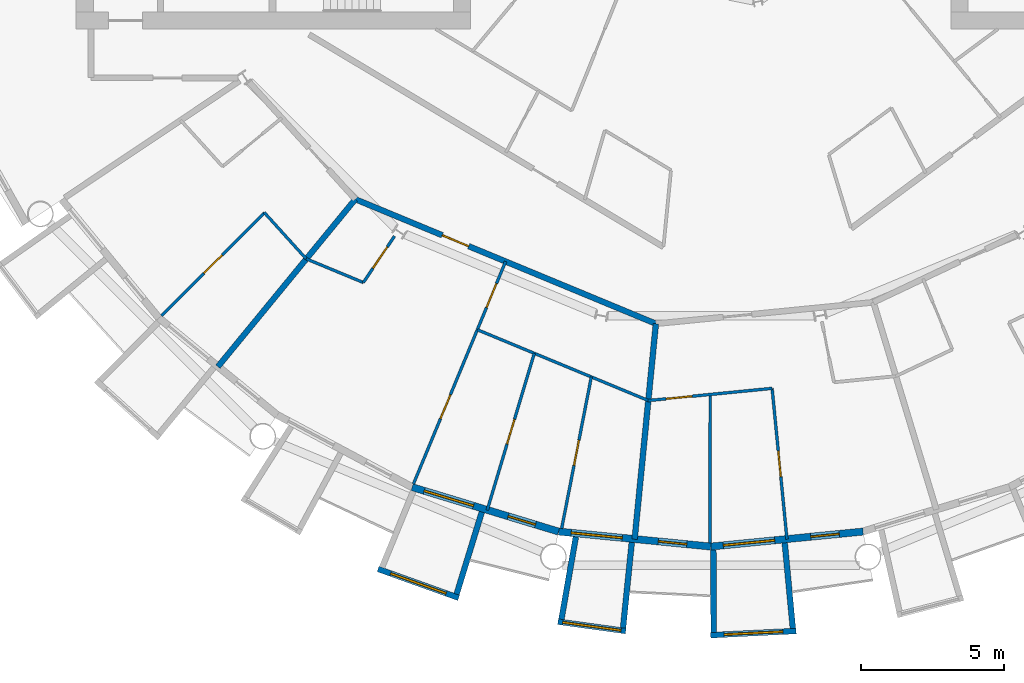
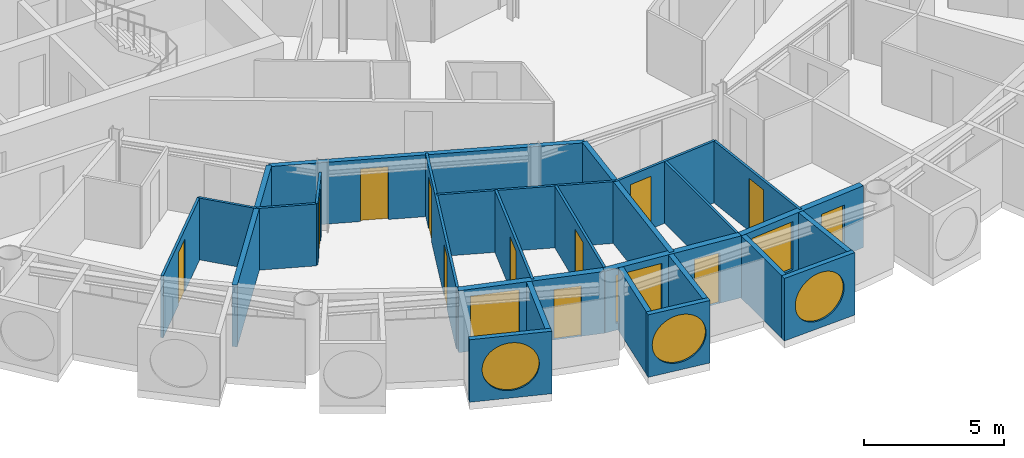
# One storey, part 14 of 27: 25 walls, 12 doors, 6 windows, 18 openings.
"""IFC4 building model written with IfcOpenShell, lengths in metres."""

from ifc_helpers import new_model, si_unit, direction, frame, frame_2d, origin, place, context, subcontext, project, spatial, rectangle, circle, extrude, material, layer, layer_set, type_object, element, fill, save


model = new_model("IFC4")

# Units and contexts
model_context = context("Model", 3, precision=1e-05, world=origin(), true_north=direction((0.0, 1.0)))
body_context = subcontext(model_context, "Body", "Model", "MODEL_VIEW")
ifc_project = project(units=[si_unit("LENGTHUNIT", "METRE"), si_unit("AREAUNIT", "SQUARE_METRE"), si_unit("VOLUMEUNIT", "CUBIC_METRE"), si_unit("PLANEANGLEUNIT", "RADIAN"), si_unit("MASSUNIT", "GRAM", prefix="KILO")], contexts=[model_context])

# Site, building, storey
site_placement = place(None, origin())
site = spatial("IfcSite", under=ifc_project, at=site_placement, CompositionType="ELEMENT")
building_placement = place(site_placement, origin())
building = spatial("IfcBuilding", under=site, at=building_placement, Name="Maasbend Ring Residences", CompositionType="ELEMENT")
storey_placement = place(building_placement, frame((0.0, 0.0, 117.75)))
storey = spatial("IfcBuildingStorey", under=building, at=storey_placement, Name="L33", CompositionType="ELEMENT", Elevation=117.75)

# Wall, opening, door
ifc_material_1 = material(Name="Concrete C30/37", Category="concrete")
ifc_layer_1 = layer(ifc_material_1, 0.199951171875)
ifc_layer_set_1 = layer_set([ifc_layer_1], Name="Concrete C30/37")
wall_type_1 = type_object("IfcWallType", Name="CORRIDOR WALL 200 CONCRETE", PredefinedType="PARTITIONING", material=ifc_layer_set_1)
wall_1_placement = place(storey_placement, frame((-12.43408203125, -15.15087890625, 0.0), z_axis=(0.0, 0.0, 1.0), x_axis=(0.923888467236, -0.382661861319, 0.0)))
wall_1 = element("IfcWall", 1, at=wall_1_placement, inside=storey, type_object=wall_type_1, Name="U-L33-w017", PredefinedType="PARTITIONING", context=body_context, shape_type="SweptSolid", body=[
    extrude(rectangle(XDim=11.38134765625, YDim=0.199951171875, at=frame_2d((5.690673828125, 0.0))), origin(), (0.0, 0.0, 1.0), 2.699951171875),
])
opening_1_placement = place(wall_1_placement, frame((3.2919921875, 0.0, 0.0)))
opening_1 = element("IfcOpeningElement", 2, at=opening_1_placement, cuts=wall_1, Name="Opening D-3336", PredefinedType="OPENING", context=body_context, shape_type="SweptSolid", body=[
    extrude(rectangle(XDim=1.0, YDim=2.300048828125, at=frame_2d((0.5, 1.14990234375))), frame((0.0, 0.10986328125, 0.0), z_axis=(0.0, -1.0, 0.0), x_axis=(1.0, 0.0, 0.0)), (0.0, 0.0, 1.0), 0.219970703125),
])
ifc_material_2 = material(Name="Timber, fire-rated, painted", Category="wood")
door_type_1 = type_object("IfcDoorType", Name="FLAT ENTRANCE DOOR 1000 X 2300 FIRE-RATED", OperationType="NOTDEFINED", PredefinedType="DOOR", material=ifc_material_2)
door_1_placement = place(opening_1_placement, origin())
door_1 = element("IfcDoor", 3, at=door_1_placement, inside=storey, type_object=door_type_1, Name="D-3336", OperationType="SINGLE_SWING_LEFT", OverallHeight=2.300048828125, OverallWidth=1.0, PredefinedType="DOOR", context=body_context, shape_type="SweptSolid", body=[
    extrude(rectangle(XDim=1.0, YDim=2.300048828125, at=frame_2d((0.5, 1.14990234375))), frame((0.0, 0.02490234375, 0.0), z_axis=(0.0, -1.0, 0.0), x_axis=(1.0, 0.0, 0.0)), (0.0, 0.0, 1.0), 0.050048828125),
])
fill(opening_1, door_1)

# Wall, opening, window
ifc_material_3 = material(Name="Pale anodised aluminium panel", Category="aluminium")
ifc_layer_2 = layer(ifc_material_3, 0.199951171875)
ifc_layer_set_2 = layer_set([ifc_layer_2], Name="EW-BOX")
wall_type_2 = type_object("IfcWallType", Name="EW-BOX", PredefinedType="SOLIDWALL", material=ifc_layer_set_2)
wall_2_placement = place(storey_placement, frame((-11.637939453125, -28.083984375, -0.030029296875), z_axis=(0.0, 0.0, 1.0), x_axis=(0.941461077774, -0.337121697664, 0.0)))
wall_2 = element("IfcWall", 4, at=wall_2_placement, inside=storey, type_object=wall_type_2, Name="Box front S07", PredefinedType="SOLIDWALL", context=body_context, shape_type="SweptSolid", body=[
    extrude(rectangle(XDim=2.9931640625, YDim=0.199951171875, at=frame_2d((1.49658203125, 0.0))), origin(), (0.0, 0.0, 1.0), 2.72998046875),
])
opening_2_placement = place(wall_2_placement, frame((0.45654296875, 0.0, 0.330078125)))
opening_2 = element("IfcOpeningElement", 5, at=opening_2_placement, cuts=wall_2, Name="Opening W-RD", PredefinedType="OPENING", context=body_context, shape_type="SweptSolid", body=[
    extrude(circle(Radius=1.0400390625, at=frame_2d((1.0400390625, 1.0400390625))), frame((0.0, 0.10986328125, 0.0), z_axis=(0.0, -1.0, 0.0), x_axis=(1.0, 0.0, 0.0)), (0.0, 0.0, 1.0), 0.219970703125),
])
ifc_material_4 = material(Name="Aluminium and clear glass", Category="aluminium")
window_type_1 = type_object("IfcWindowType", Name="W-RD", PartitioningType="SINGLE_PANEL", PredefinedType="WINDOW", material=ifc_material_4)
window_1_placement = place(opening_2_placement, origin())
window_1 = element("IfcWindow", 6, at=window_1_placement, inside=storey, type_object=window_type_1, Name="Round window S07", OverallHeight=2.080078125, OverallWidth=2.080078125, PartitioningType="SINGLE_PANEL", PredefinedType="WINDOW", context=body_context, shape_type="SweptSolid", body=[
    extrude(circle(Radius=1.0400390625, at=frame_2d((1.0400390625, 1.0400390625))), frame((0.0, 0.030029296875, 0.0), z_axis=(0.0, -1.0, 0.0), x_axis=(1.0, 0.0, 0.0)), (0.0, 0.0, 1.0), 0.06005859375),
])
fill(opening_2, window_1)

# Wall
wall_3_placement = place(storey_placement, frame((-8.009033203125, -26.092041015625, -0.030029296875), z_axis=(0.0, 0.0, 1.0), x_axis=(-0.293406695073, -0.955987715029, 0.0)))
element("IfcWall", 7, at=wall_3_placement, inside=storey, type_object=wall_type_2, Name="Box side wall S07 right", PredefinedType="SOLIDWALL", context=body_context, shape_type="SweptSolid", body=[
    extrude(rectangle(XDim=3.00634765625, YDim=0.199951171875, at=frame_2d((1.503173828125, 0.0))), origin(), (0.0, 0.0, 1.0), 2.72998046875),
])

# Wall, opening, window
wall_4_placement = place(storey_placement, frame((-5.344970703125, -29.927001953125, -0.030029296875), z_axis=(0.0, 0.0, 1.0), x_axis=(0.99061207328, -0.136703036805, 0.0)))
wall_4 = element("IfcWall", 8, at=wall_4_placement, inside=storey, type_object=wall_type_2, Name="Box front S09", PredefinedType="SOLIDWALL", context=body_context, shape_type="SweptSolid", body=[
    extrude(rectangle(XDim=2.391357421875, YDim=0.199951171875, at=frame_2d((1.19580078125, 0.0))), origin(), (0.0, 0.0, 1.0), 2.72998046875),
])
opening_3_placement = place(wall_4_placement, frame((0.15576171875, 0.0, 0.330078125)))
opening_3 = element("IfcOpeningElement", 9, at=opening_3_placement, cuts=wall_4, Name="Opening W-RD", PredefinedType="OPENING", context=body_context, shape_type="SweptSolid", body=[
    extrude(circle(Radius=1.0400390625, at=frame_2d((1.0400390625, 1.0400390625))), frame((0.0, 0.10986328125, 0.0), z_axis=(0.0, -1.0, 0.0), x_axis=(1.0, 0.0, 0.0)), (0.0, 0.0, 1.0), 0.219970703125),
])
window_2_placement = place(opening_3_placement, origin())
window_2 = element("IfcWindow", 10, at=window_2_placement, inside=storey, type_object=window_type_1, Name="Round window S09", OverallHeight=2.080078125, OverallWidth=2.080078125, PartitioningType="SINGLE_PANEL", PredefinedType="WINDOW", context=body_context, shape_type="SweptSolid", body=[
    extrude(circle(Radius=1.0400390625, at=frame_2d((1.0400390625, 1.0400390625))), frame((0.0, 0.030029296875, 0.0), z_axis=(0.0, -1.0, 0.0), x_axis=(1.0, 0.0, 0.0)), (0.0, 0.0, 1.0), 0.06005859375),
])
fill(opening_3, window_2)

# Walls
wall_5_placement = place(storey_placement, frame((-4.719970703125, -26.9609375, -0.030029296875), z_axis=(0.0, 0.0, 1.0), x_axis=(-0.172463232037, -0.98501595601, 0.0)))
element("IfcWall", 11, at=wall_5_placement, inside=storey, type_object=wall_type_2, Name="Box side wall S09 left", PredefinedType="SOLIDWALL", context=body_context, shape_type="SweptSolid", body=[
    extrude(rectangle(XDim=2.928955078125, YDim=0.199951171875, at=frame_2d((1.46435546875, 0.0))), origin(), (0.0, 0.0, 1.0), 2.72998046875),
])
wall_6_placement = place(storey_placement, frame((-2.763916015625, -27.153076171875, -0.030029296875), z_axis=(0.0, 0.0, 1.0), x_axis=(-0.101505487237, -0.994834979311, 0.0)))
element("IfcWall", 12, at=wall_6_placement, inside=storey, type_object=wall_type_2, Name="Box side wall S09 right", PredefinedType="SOLIDWALL", context=body_context, shape_type="SweptSolid", body=[
    extrude(rectangle(XDim=3.006591796875, YDim=0.199951171875, at=frame_2d((1.50341796875, 0.0))), origin(), (0.0, 0.0, 1.0), 2.72998046875),
])

# Wall, opening, window
wall_7_placement = place(storey_placement, frame((-0.0048828125, -30.39990234375, -0.030029296875), z_axis=(0.0, 0.0, 1.0), x_axis=(0.998794083011, 0.049095618353, 0.0)))
wall_7 = element("IfcWall", 13, at=wall_7_placement, inside=storey, type_object=wall_type_2, Name="Box front S11", PredefinedType="SOLIDWALL", context=body_context, shape_type="SweptSolid", body=[
    extrude(rectangle(XDim=2.99365234375, YDim=0.199951171875, at=frame_2d((1.496826171875, 0.0))), origin(), (0.0, 0.0, 1.0), 2.72998046875),
])
opening_4_placement = place(wall_7_placement, frame((0.45654296875, 0.0, 0.330078125)))
opening_4 = element("IfcOpeningElement", 14, at=opening_4_placement, cuts=wall_7, Name="Opening W-RD", PredefinedType="OPENING", context=body_context, shape_type="SweptSolid", body=[
    extrude(circle(Radius=1.0400390625, at=frame_2d((1.0400390625, 1.0400390625))), frame((0.0, 0.10986328125, 0.0), z_axis=(0.0, -1.0, 0.0), x_axis=(1.0, 0.0, 0.0)), (0.0, 0.0, 1.0), 0.219970703125),
])
window_3_placement = place(opening_4_placement, origin())
window_3 = element("IfcWindow", 15, at=window_3_placement, inside=storey, type_object=window_type_1, Name="Round window S11", OverallHeight=2.080078125, OverallWidth=2.080078125, PartitioningType="SINGLE_PANEL", PredefinedType="WINDOW", context=body_context, shape_type="SweptSolid", body=[
    extrude(circle(Radius=1.0400390625, at=frame_2d((1.0400390625, 1.0400390625))), frame((0.0, 0.030029296875, 0.0), z_axis=(0.0, -1.0, 0.0), x_axis=(1.0, 0.0, 0.0)), (0.0, 0.0, 1.0), 0.06005859375),
])
fill(opening_4, window_3)

# Walls
wall_8_placement = place(storey_placement, frame((0.090087890625, -27.4169921875, -0.030029296875), z_axis=(0.0, 0.0, 1.0), x_axis=(0.00347308367, -0.999993968827, 0.0)))
element("IfcWall", 16, at=wall_8_placement, inside=storey, type_object=wall_type_2, Name="Box side wall S11 left", PredefinedType="SOLIDWALL", context=body_context, shape_type="SweptSolid", body=[
    extrude(rectangle(XDim=2.882080078125, YDim=0.199951171875, at=frame_2d((1.44091796875, 0.0))), origin(), (0.0, 0.0, 1.0), 2.72998046875),
])
wall_9_placement = place(storey_placement, frame((2.5859375, -27.1708984375, -0.030029296875), z_axis=(0.0, 0.0, 1.0), x_axis=(0.094548432284, -0.995520262954, 0.0)))
element("IfcWall", 17, at=wall_9_placement, inside=storey, type_object=wall_type_2, Name="Box side wall S11 right", PredefinedType="SOLIDWALL", context=body_context, shape_type="SweptSolid", body=[
    extrude(rectangle(XDim=3.005615234375, YDim=0.199951171875, at=frame_2d((1.5029296875, 0.0))), origin(), (0.0, 0.0, 1.0), 2.72998046875),
])

# Wall, openings, door, window
ifc_material_5 = material(Name="Aluminium clad insulated panel", Category="aluminium")
ifc_layer_3 = layer(ifc_material_5, 0.25)
ifc_layer_set_3 = layer_set([ifc_layer_3], Name="EW-GL")
wall_type_3 = type_object("IfcWallType", Name="EW-GL", PredefinedType="SOLIDWALL", material=ifc_layer_set_3)
wall_10_placement = place(storey_placement, frame((-10.447021484375, -25.221923828125, 0.0), z_axis=(0.0, 0.0, 1.0), x_axis=(0.956965678721, -0.290201119486, 0.0)))
wall_10 = element("IfcWall", 18, at=wall_10_placement, inside=storey, type_object=wall_type_3, Name="External wall S04", PredefinedType="SOLIDWALL", context=body_context, shape_type="SweptSolid", body=[
    extrude(rectangle(XDim=5.351318359375, YDim=0.25, at=frame_2d((2.67578125, 0.0))), origin(), (0.0, 0.0, 1.0), 2.699951171875),
])
opening_5_placement = place(wall_10_placement, frame((0.441162109375, 0.0, 0.300048828125)))
opening_5 = element("IfcOpeningElement", 19, at=opening_5_placement, cuts=wall_10, Name="Opening W-BX", PredefinedType="OPENING", context=body_context, shape_type="SweptSolid", body=[
    extrude(rectangle(XDim=1.800048828125, YDim=2.10009765625, at=frame_2d((0.89990234375, 1.050048828125))), frame((0.0, 0.135009765625, 0.0), z_axis=(0.0, -1.0, 0.0), x_axis=(1.0, 0.0, 0.0)), (0.0, 0.0, 1.0), 0.27001953125),
])
opening_6_placement = place(wall_10_placement, frame((3.510498046875, 0.0, 0.0)))
opening_6 = element("IfcOpeningElement", 20, at=opening_6_placement, cuts=wall_10, Name="Opening D-LG", PredefinedType="OPENING", context=body_context, shape_type="SweptSolid", body=[
    extrude(rectangle(XDim=1.0, YDim=2.199951171875, at=frame_2d((0.5, 1.10009765625))), frame((0.0, 0.135009765625, 0.0), z_axis=(0.0, -1.0, 0.0), x_axis=(1.0, 0.0, 0.0)), (0.0, 0.0, 1.0), 0.27001953125),
])
ifc_material_6 = material(Name="Aluminium and clear glass", Category="aluminium")
door_type_2 = type_object("IfcDoorType", Name="D-LG", OperationType="SINGLE_SWING_LEFT", PredefinedType="DOOR", material=ifc_material_6)
door_2_placement = place(opening_6_placement, origin())
door_2 = element("IfcDoor", 21, at=door_2_placement, inside=storey, type_object=door_type_2, Name="Loggia door S08", OperationType="SINGLE_SWING_LEFT", OverallHeight=2.199951171875, OverallWidth=1.0, PredefinedType="DOOR", context=body_context, shape_type="SweptSolid", body=[
    extrude(rectangle(XDim=1.0, YDim=2.199951171875, at=frame_2d((0.5, 1.10009765625))), frame((0.0, 0.02490234375, 0.0), z_axis=(0.0, -1.0, 0.0), x_axis=(1.0, 0.0, 0.0)), (0.0, 0.0, 1.0), 0.050048828125),
])
fill(opening_6, door_2)
ifc_material_7 = material(Name="Aluminium and clear glass", Category="aluminium")
window_type_2 = type_object("IfcWindowType", Name="W-BX", PartitioningType="DOUBLE_PANEL_VERTICAL", PredefinedType="WINDOW", material=ifc_material_7)
window_4_placement = place(opening_5_placement, origin())
window_4 = element("IfcWindow", 22, at=window_4_placement, inside=storey, type_object=window_type_2, Name="Window S07 room to box", OverallHeight=2.10009765625, OverallWidth=1.800048828125, PartitioningType="SINGLE_PANEL", PredefinedType="WINDOW", context=body_context, shape_type="SweptSolid", body=[
    extrude(rectangle(XDim=1.800048828125, YDim=2.10009765625, at=frame_2d((0.89990234375, 1.050048828125))), frame((0.0, 0.030029296875, 0.0), z_axis=(0.0, -1.0, 0.0), x_axis=(1.0, 0.0, 0.0)), (0.0, 0.0, 1.0), 0.06005859375),
])
fill(opening_5, window_4)

wall_11_placement = place(storey_placement, frame((-5.325927734375, -26.77490234375, 0.0), z_axis=(0.0, 0.0, 1.0), x_axis=(0.995173996315, -0.098126026407, 0.0)))
wall_11 = element("IfcWall", 23, at=wall_11_placement, inside=storey, type_object=wall_type_3, Name="External wall S05", PredefinedType="SOLIDWALL", context=body_context, shape_type="SweptSolid", body=[
    extrude(rectangle(XDim=5.351806640625, YDim=0.25, at=frame_2d((2.67578125, 0.0))), origin(), (0.0, 0.0, 1.0), 2.699951171875),
])
opening_7_placement = place(wall_11_placement, frame((0.441162109375, 0.0, 0.300048828125)))
opening_7 = element("IfcOpeningElement", 24, at=opening_7_placement, cuts=wall_11, Name="Opening W-BX", PredefinedType="OPENING", context=body_context, shape_type="SweptSolid", body=[
    extrude(rectangle(XDim=1.800048828125, YDim=2.10009765625, at=frame_2d((0.89990234375, 1.050048828125))), frame((0.0, 0.135009765625, 0.0), z_axis=(0.0, -1.0, 0.0), x_axis=(1.0, 0.0, 0.0)), (0.0, 0.0, 1.0), 0.27001953125),
])
opening_8_placement = place(wall_11_placement, frame((3.510498046875, 0.0, 0.0)))
opening_8 = element("IfcOpeningElement", 25, at=opening_8_placement, cuts=wall_11, Name="Opening D-LG", PredefinedType="OPENING", context=body_context, shape_type="SweptSolid", body=[
    extrude(rectangle(XDim=1.0, YDim=2.199951171875, at=frame_2d((0.5, 1.10009765625))), frame((0.0, 0.135009765625, 0.0), z_axis=(0.0, -1.0, 0.0), x_axis=(1.0, 0.0, 0.0)), (0.0, 0.0, 1.0), 0.27001953125),
])
door_3_placement = place(opening_8_placement, origin())
door_3 = element("IfcDoor", 26, at=door_3_placement, inside=storey, type_object=door_type_2, Name="Loggia door S10", OperationType="SINGLE_SWING_LEFT", OverallHeight=2.199951171875, OverallWidth=1.0, PredefinedType="DOOR", context=body_context, shape_type="SweptSolid", body=[
    extrude(rectangle(XDim=1.0, YDim=2.199951171875, at=frame_2d((0.5, 1.10009765625))), frame((0.0, 0.02490234375, 0.0), z_axis=(0.0, -1.0, 0.0), x_axis=(1.0, 0.0, 0.0)), (0.0, 0.0, 1.0), 0.050048828125),
])
fill(opening_8, door_3)
window_5_placement = place(opening_7_placement, origin())
window_5 = element("IfcWindow", 27, at=window_5_placement, inside=storey, type_object=window_type_2, Name="Window S09 room to box", OverallHeight=2.10009765625, OverallWidth=1.800048828125, PartitioningType="SINGLE_PANEL", PredefinedType="WINDOW", context=body_context, shape_type="SweptSolid", body=[
    extrude(rectangle(XDim=1.800048828125, YDim=2.10009765625, at=frame_2d((0.89990234375, 1.050048828125))), frame((0.0, 0.030029296875, 0.0), z_axis=(0.0, -1.0, 0.0), x_axis=(1.0, 0.0, 0.0)), (0.0, 0.0, 1.0), 0.06005859375),
])
fill(opening_7, window_5)

wall_12_placement = place(storey_placement, frame((0.0, -27.300048828125, 0.0), z_axis=(0.0, 0.0, 1.0), x_axis=(0.995173996315, 0.098126026407, 0.0)))
wall_12 = element("IfcWall", 28, at=wall_12_placement, inside=storey, type_object=wall_type_3, Name="External wall S06", PredefinedType="SOLIDWALL", context=body_context, shape_type="SweptSolid", body=[
    extrude(rectangle(XDim=5.351806640625, YDim=0.25, at=frame_2d((2.67578125, 0.0))), origin(), (0.0, 0.0, 1.0), 2.699951171875),
])
opening_9_placement = place(wall_12_placement, frame((0.441162109375, 0.0, 0.300048828125)))
opening_9 = element("IfcOpeningElement", 29, at=opening_9_placement, cuts=wall_12, Name="Opening W-BX", PredefinedType="OPENING", context=body_context, shape_type="SweptSolid", body=[
    extrude(rectangle(XDim=1.800048828125, YDim=2.10009765625, at=frame_2d((0.89990234375, 1.050048828125))), frame((0.0, 0.135009765625, 0.0), z_axis=(0.0, -1.0, 0.0), x_axis=(1.0, 0.0, 0.0)), (0.0, 0.0, 1.0), 0.27001953125),
])
opening_10_placement = place(wall_12_placement, frame((3.510498046875, 0.0, 0.0)))
opening_10 = element("IfcOpeningElement", 30, at=opening_10_placement, cuts=wall_12, Name="Opening D-LG", PredefinedType="OPENING", context=body_context, shape_type="SweptSolid", body=[
    extrude(rectangle(XDim=1.0, YDim=2.199951171875, at=frame_2d((0.5, 1.10009765625))), frame((0.0, 0.135009765625, 0.0), z_axis=(0.0, -1.0, 0.0), x_axis=(1.0, 0.0, 0.0)), (0.0, 0.0, 1.0), 0.27001953125),
])
door_4_placement = place(opening_10_placement, origin())
door_4 = element("IfcDoor", 31, at=door_4_placement, inside=storey, type_object=door_type_2, Name="Loggia door S12", OperationType="SINGLE_SWING_LEFT", OverallHeight=2.199951171875, OverallWidth=1.0, PredefinedType="DOOR", context=body_context, shape_type="SweptSolid", body=[
    extrude(rectangle(XDim=1.0, YDim=2.199951171875, at=frame_2d((0.5, 1.10009765625))), frame((0.0, 0.02490234375, 0.0), z_axis=(0.0, -1.0, 0.0), x_axis=(1.0, 0.0, 0.0)), (0.0, 0.0, 1.0), 0.050048828125),
])
fill(opening_10, door_4)
window_6_placement = place(opening_9_placement, origin())
window_6 = element("IfcWindow", 32, at=window_6_placement, inside=storey, type_object=window_type_2, Name="Window S11 room to box", OverallHeight=2.10009765625, OverallWidth=1.800048828125, PartitioningType="SINGLE_PANEL", PredefinedType="WINDOW", context=body_context, shape_type="SweptSolid", body=[
    extrude(rectangle(XDim=1.800048828125, YDim=2.10009765625, at=frame_2d((0.89990234375, 1.050048828125))), frame((0.0, 0.030029296875, 0.0), z_axis=(0.0, -1.0, 0.0), x_axis=(1.0, 0.0, 0.0)), (0.0, 0.0, 1.0), 0.06005859375),
])
fill(opening_9, window_6)

# Wall
ifc_material_8 = material(Name="Gypsum board on steel studs", Category="steel")
ifc_layer_4 = layer(ifc_material_8, 0.10009765625)
ifc_layer_set_4 = layer_set([ifc_layer_4], Name="PARTITION 100 GYPSUM")
wall_type_4 = type_object("IfcWallType", Name="PARTITION 100 GYPSUM", PredefinedType="PARTITIONING", material=ifc_layer_set_4)
wall_13_placement = place(storey_placement, frame((-15.616943359375, -15.616943359375, 0.0), z_axis=(0.0, 0.0, 1.0), x_axis=(0.671144831591, -0.741326254107, 0.0)))
element("IfcWall", 33, at=wall_13_placement, inside=storey, type_object=wall_type_4, Name="U-L33-w002", PredefinedType="PARTITIONING", context=body_context, shape_type="SweptSolid", body=[
    extrude(rectangle(XDim=2.18115234375, YDim=0.10009765625, at=frame_2d((1.090576171875, 0.0))), origin(), (0.0, 0.0, 1.0), 2.699951171875),
])

# Wall, opening, door
wall_14_placement = place(storey_placement, frame((-2.193115234375, -22.194091796875, 0.0), z_axis=(0.0, 0.0, 1.0), x_axis=(0.995173152282, 0.098134586035, 0.0)))
wall_14 = element("IfcWall", 34, at=wall_14_placement, inside=storey, type_object=wall_type_4, Name="U-L33-w005", PredefinedType="PARTITIONING", context=body_context, shape_type="SweptSolid", body=[
    extrude(rectangle(XDim=4.361083984375, YDim=0.10009765625, at=frame_2d((2.1806640625, 0.0))), origin(), (0.0, 0.0, 1.0), 2.699951171875),
])
opening_11_placement = place(wall_14_placement, frame((0.64111328125, 0.0, 0.0)))
opening_11 = element("IfcOpeningElement", 35, at=opening_11_placement, cuts=wall_14, Name="Opening D-3345", PredefinedType="OPENING", context=body_context, shape_type="SweptSolid", body=[
    extrude(rectangle(XDim=0.89990234375, YDim=2.300048828125, at=frame_2d((0.449951171875, 1.14990234375))), frame((0.0, 0.06005859375, 0.0), z_axis=(0.0, -1.0, 0.0), x_axis=(1.0, 0.0, 0.0)), (0.0, 0.0, 1.0), 0.1201171875),
])
ifc_material_9 = material(Name="Timber, painted", Category="wood")
door_type_3 = type_object("IfcDoorType", Name="INTERNAL DOOR 900 X 2300", OperationType="NOTDEFINED", PredefinedType="DOOR", material=ifc_material_9)
door_5_placement = place(opening_11_placement, origin())
door_5 = element("IfcDoor", 36, at=door_5_placement, inside=storey, type_object=door_type_3, Name="D-3345", OperationType="SINGLE_SWING_LEFT", OverallHeight=2.300048828125, OverallWidth=0.89990234375, PredefinedType="DOOR", context=body_context, shape_type="SweptSolid", body=[
    extrude(rectangle(XDim=0.89990234375, YDim=2.300048828125, at=frame_2d((0.449951171875, 1.14990234375))), frame((0.0, 0.02490234375, 0.0), z_axis=(0.0, -1.0, 0.0), x_axis=(1.0, 0.0, 0.0)), (0.0, 0.0, 1.0), 0.050048828125),
])
fill(opening_11, door_5)

# Walls
wall_15_placement = place(storey_placement, frame((-14.14697265625, -17.238037109375, 0.0), z_axis=(0.0, 0.0, 1.0), x_axis=(0.923874819588, -0.382694810171, 0.0)))
element("IfcWall", 37, at=wall_15_placement, inside=storey, type_object=wall_type_4, Name="U-L33-w011", PredefinedType="PARTITIONING", context=body_context, shape_type="SweptSolid", body=[
    extrude(rectangle(XDim=2.158203125, YDim=0.10009765625, at=frame_2d((1.0791015625, 0.0))), origin(), (0.0, 0.0, 1.0), 2.699951171875),
])
wall_16_placement = place(storey_placement, frame((-8.1640625, -19.716064453125, 0.0), z_axis=(0.0, 0.0, 1.0), x_axis=(0.92387253274, -0.38270033087, 0.0)))
element("IfcWall", 38, at=wall_16_placement, inside=storey, type_object=wall_type_4, Name="U-L33-w012", PredefinedType="PARTITIONING", context=body_context, shape_type="SweptSolid", body=[
    extrude(rectangle(XDim=6.47509765625, YDim=0.10009765625, at=frame_2d((3.237548828125, 0.0))), origin(), (0.0, 0.0, 1.0), 2.699951171875),
])

# Wall, opening, door
wall_17_placement = place(storey_placement, frame((-19.2099609375, -19.221923828125, 0.0), z_axis=(0.0, 0.0, 1.0), x_axis=(0.706914880313, 0.707298629994, 0.0)))
wall_17 = element("IfcWall", 39, at=wall_17_placement, inside=storey, type_object=wall_type_4, Name="U-L33-w036", PredefinedType="PARTITIONING", context=body_context, shape_type="SweptSolid", body=[
    extrude(rectangle(XDim=5.089599609375, YDim=0.10009765625, at=frame_2d((2.544921875, 0.0))), origin(), (0.0, 0.0, 1.0), 2.699951171875),
])
opening_12_placement = place(wall_17_placement, frame((2.094970703125, 0.0, 0.0)))
opening_12 = element("IfcOpeningElement", 40, at=opening_12_placement, cuts=wall_17, Name="Opening D-3335", PredefinedType="OPENING", context=body_context, shape_type="SweptSolid", body=[
    extrude(rectangle(XDim=0.89990234375, YDim=2.300048828125, at=frame_2d((0.449951171875, 1.14990234375))), frame((0.0, 0.06005859375, 0.0), z_axis=(0.0, -1.0, 0.0), x_axis=(1.0, 0.0, 0.0)), (0.0, 0.0, 1.0), 0.1201171875),
])
door_6_placement = place(opening_12_placement, origin())
door_6 = element("IfcDoor", 41, at=door_6_placement, inside=storey, type_object=door_type_3, Name="D-3335", OperationType="SINGLE_SWING_RIGHT", OverallHeight=2.300048828125, OverallWidth=0.89990234375, PredefinedType="DOOR", context=body_context, shape_type="SweptSolid", body=[
    extrude(rectangle(XDim=0.89990234375, YDim=2.300048828125, at=frame_2d((0.449951171875, 1.14990234375))), frame((0.0, 0.02490234375, 0.0), z_axis=(0.0, -1.0, 0.0), x_axis=(1.0, 0.0, 0.0)), (0.0, 0.0, 1.0), 0.050048828125),
])
fill(opening_12, door_6)

wall_18_placement = place(storey_placement, frame((-12.153076171875, -18.06396484375, 0.0), z_axis=(0.0, 0.0, 1.0), x_axis=(0.557893831879, 0.829912328112, 0.0)))
wall_18 = element("IfcWall", 42, at=wall_18_placement, inside=storey, type_object=wall_type_4, Name="U-L33-w042", PredefinedType="PARTITIONING", context=body_context, shape_type="SweptSolid", body=[
    extrude(rectangle(XDim=1.95556640625, YDim=0.10009765625, at=frame_2d((0.977783203125, 0.0))), origin(), (0.0, 0.0, 1.0), 2.699951171875),
])
opening_13_placement = place(wall_18_placement, frame((0.60009765625, 0.0, 0.0)))
opening_13 = element("IfcOpeningElement", 43, at=opening_13_placement, cuts=wall_18, Name="Opening D-3337", PredefinedType="OPENING", context=body_context, shape_type="SweptSolid", body=[
    extrude(rectangle(XDim=0.89990234375, YDim=2.300048828125, at=frame_2d((0.449951171875, 1.14990234375))), frame((0.0, 0.06005859375, 0.0), z_axis=(0.0, -1.0, 0.0), x_axis=(1.0, 0.0, 0.0)), (0.0, 0.0, 1.0), 0.1201171875),
])
door_7_placement = place(opening_13_placement, origin())
door_7 = element("IfcDoor", 44, at=door_7_placement, inside=storey, type_object=door_type_3, Name="D-3337", OperationType="SINGLE_SWING_RIGHT", OverallHeight=2.300048828125, OverallWidth=0.89990234375, PredefinedType="DOOR", context=body_context, shape_type="SweptSolid", body=[
    extrude(rectangle(XDim=0.89990234375, YDim=2.300048828125, at=frame_2d((0.449951171875, 1.14990234375))), frame((0.0, 0.02490234375, 0.0), z_axis=(0.0, -1.0, 0.0), x_axis=(1.0, 0.0, 0.0)), (0.0, 0.0, 1.0), 0.050048828125),
])
fill(opening_13, door_7)

# Wall, openings, doors
wall_19_placement = place(storey_placement, frame((-10.39892578125, -25.10595703125, 0.0), z_axis=(0.0, 0.0, 1.0), x_axis=(0.382697543868, 0.923873687209, 0.0)))
wall_19 = element("IfcWall", 45, at=wall_19_placement, inside=storey, type_object=wall_type_4, Name="U-L33-w043", PredefinedType="PARTITIONING", context=body_context, shape_type="SweptSolid", body=[
    extrude(rectangle(XDim=8.4189453125, YDim=0.10009765625, at=frame_2d((4.20947265625, 0.0))), origin(), (0.0, 0.0, 1.0), 2.699951171875),
])
opening_14_placement = place(wall_19_placement, frame((6.677001953125, 0.0, 0.0)))
opening_14 = element("IfcOpeningElement", 46, at=opening_14_placement, cuts=wall_19, Name="Opening D-3338", PredefinedType="OPENING", context=body_context, shape_type="SweptSolid", body=[
    extrude(rectangle(XDim=0.89990234375, YDim=2.300048828125, at=frame_2d((0.449951171875, 1.14990234375))), frame((0.0, 0.06005859375, 0.0), z_axis=(0.0, -1.0, 0.0), x_axis=(1.0, 0.0, 0.0)), (0.0, 0.0, 1.0), 0.1201171875),
])
opening_15_placement = place(wall_19_placement, frame((2.468017578125, 0.0, 0.0)))
opening_15 = element("IfcOpeningElement", 47, at=opening_15_placement, cuts=wall_19, Name="Opening D-3339", PredefinedType="OPENING", context=body_context, shape_type="SweptSolid", body=[
    extrude(rectangle(XDim=0.89990234375, YDim=2.300048828125, at=frame_2d((0.449951171875, 1.14990234375))), frame((0.0, 0.06005859375, 0.0), z_axis=(0.0, -1.0, 0.0), x_axis=(1.0, 0.0, 0.0)), (0.0, 0.0, 1.0), 0.1201171875),
])
door_8_placement = place(opening_14_placement, origin())
door_8 = element("IfcDoor", 48, at=door_8_placement, inside=storey, type_object=door_type_3, Name="D-3338", OperationType="SINGLE_SWING_RIGHT", OverallHeight=2.300048828125, OverallWidth=0.89990234375, PredefinedType="DOOR", context=body_context, shape_type="SweptSolid", body=[
    extrude(rectangle(XDim=0.89990234375, YDim=2.300048828125, at=frame_2d((0.449951171875, 1.14990234375))), frame((0.0, 0.02490234375, 0.0), z_axis=(0.0, -1.0, 0.0), x_axis=(1.0, 0.0, 0.0)), (0.0, 0.0, 1.0), 0.050048828125),
])
fill(opening_14, door_8)
door_9_placement = place(opening_15_placement, origin())
door_9 = element("IfcDoor", 49, at=door_9_placement, inside=storey, type_object=door_type_3, Name="D-3339", OperationType="SINGLE_SWING_LEFT", OverallHeight=2.300048828125, OverallWidth=0.89990234375, PredefinedType="DOOR", context=body_context, shape_type="SweptSolid", body=[
    extrude(rectangle(XDim=0.89990234375, YDim=2.300048828125, at=frame_2d((0.449951171875, 1.14990234375))), frame((0.0, 0.02490234375, 0.0), z_axis=(0.0, -1.0, 0.0), x_axis=(1.0, 0.0, 0.0)), (0.0, 0.0, 1.0), 0.050048828125),
])
fill(opening_15, door_9)

# Wall, opening, door
wall_20_placement = place(storey_placement, frame((-7.821044921875, -26.02490234375, 0.0), z_axis=(0.0, 0.0, 1.0), x_axis=(0.287793773423, 0.957692405723, 0.0)))
wall_20 = element("IfcWall", 50, at=wall_20_placement, inside=storey, type_object=wall_type_4, Name="U-L33-w047", PredefinedType="PARTITIONING", context=body_context, shape_type="SweptSolid", body=[
    extrude(rectangle(XDim=5.72607421875, YDim=0.10009765625, at=frame_2d((2.863037109375, 0.0))), origin(), (0.0, 0.0, 1.0), 2.699951171875),
])
opening_16_placement = place(wall_20_placement, frame((2.4130859375, 0.0, 0.0)))
opening_16 = element("IfcOpeningElement", 51, at=opening_16_placement, cuts=wall_20, Name="Opening D-3340", PredefinedType="OPENING", context=body_context, shape_type="SweptSolid", body=[
    extrude(rectangle(XDim=0.89990234375, YDim=2.300048828125, at=frame_2d((0.449951171875, 1.14990234375))), frame((0.0, 0.06005859375, 0.0), z_axis=(0.0, -1.0, 0.0), x_axis=(1.0, 0.0, 0.0)), (0.0, 0.0, 1.0), 0.1201171875),
])
door_10_placement = place(opening_16_placement, origin())
door_10 = element("IfcDoor", 52, at=door_10_placement, inside=storey, type_object=door_type_3, Name="D-3340", OperationType="SINGLE_SWING_LEFT", OverallHeight=2.300048828125, OverallWidth=0.89990234375, PredefinedType="DOOR", context=body_context, shape_type="SweptSolid", body=[
    extrude(rectangle(XDim=0.89990234375, YDim=2.300048828125, at=frame_2d((0.449951171875, 1.14990234375))), frame((0.0, 0.02490234375, 0.0), z_axis=(0.0, -1.0, 0.0), x_axis=(1.0, 0.0, 0.0)), (0.0, 0.0, 1.0), 0.050048828125),
])
fill(opening_16, door_10)

wall_21_placement = place(storey_placement, frame((-5.217041015625, -26.669921875, 0.0), z_axis=(0.0, 0.0, 1.0), x_axis=(0.192109041462, 0.981373586453, 0.0)))
wall_21 = element("IfcWall", 53, at=wall_21_placement, inside=storey, type_object=wall_type_4, Name="U-L33-w050", PredefinedType="PARTITIONING", context=body_context, shape_type="SweptSolid", body=[
    extrude(rectangle(XDim=5.403564453125, YDim=0.10009765625, at=frame_2d((2.70166015625, 0.0))), origin(), (0.0, 0.0, 1.0), 2.699951171875),
])
opening_17_placement = place(wall_21_placement, frame((2.251953125, 0.0, 0.0)))
opening_17 = element("IfcOpeningElement", 54, at=opening_17_placement, cuts=wall_21, Name="Opening D-3341", PredefinedType="OPENING", context=body_context, shape_type="SweptSolid", body=[
    extrude(rectangle(XDim=0.89990234375, YDim=2.300048828125, at=frame_2d((0.449951171875, 1.14990234375))), frame((0.0, 0.06005859375, 0.0), z_axis=(0.0, -1.0, 0.0), x_axis=(1.0, 0.0, 0.0)), (0.0, 0.0, 1.0), 0.1201171875),
])
door_11_placement = place(opening_17_placement, origin())
door_11 = element("IfcDoor", 55, at=door_11_placement, inside=storey, type_object=door_type_3, Name="D-3341", OperationType="SINGLE_SWING_RIGHT", OverallHeight=2.300048828125, OverallWidth=0.89990234375, PredefinedType="DOOR", context=body_context, shape_type="SweptSolid", body=[
    extrude(rectangle(XDim=0.89990234375, YDim=2.300048828125, at=frame_2d((0.449951171875, 1.14990234375))), frame((0.0, 0.02490234375, 0.0), z_axis=(0.0, -1.0, 0.0), x_axis=(1.0, 0.0, 0.0)), (0.0, 0.0, 1.0), 0.050048828125),
])
fill(opening_17, door_11)

# Wall
wall_22_placement = place(storey_placement, frame((-0.02587890625, -27.175048828125, 0.0), z_axis=(0.0, 0.0, 1.0), x_axis=(0.00093971673, 0.999999558466, 0.0)))
element("IfcWall", 56, at=wall_22_placement, inside=storey, type_object=wall_type_4, Name="U-L33-w056", PredefinedType="PARTITIONING", context=body_context, shape_type="SweptSolid", body=[
    extrude(rectangle(XDim=5.196044921875, YDim=0.10009765625, at=frame_2d((2.59814453125, 0.0))), origin(), (0.0, 0.0, 1.0), 2.699951171875),
])

# Wall, opening, door
wall_23_placement = place(storey_placement, frame((2.14404296875, -21.76611328125, 0.0), z_axis=(0.0, 0.0, 1.0), x_axis=(0.098054199821, -0.995181075934, 0.0)))
wall_23 = element("IfcWall", 57, at=wall_23_placement, inside=storey, type_object=wall_type_4, Name="U-L33-w060", PredefinedType="PARTITIONING", context=body_context, shape_type="SweptSolid", body=[
    extrude(rectangle(XDim=5.303466796875, YDim=0.10009765625, at=frame_2d((2.65185546875, 0.0))), origin(), (0.0, 0.0, 1.0), 2.699951171875),
])
opening_18_placement = place(wall_23_placement, frame((2.201904296875, 0.0, 0.0)))
opening_18 = element("IfcOpeningElement", 58, at=opening_18_placement, cuts=wall_23, Name="Opening D-3344", PredefinedType="OPENING", context=body_context, shape_type="SweptSolid", body=[
    extrude(rectangle(XDim=0.89990234375, YDim=2.300048828125, at=frame_2d((0.449951171875, 1.14990234375))), frame((0.0, 0.06005859375, 0.0), z_axis=(0.0, -1.0, 0.0), x_axis=(1.0, 0.0, 0.0)), (0.0, 0.0, 1.0), 0.1201171875),
])
door_12_placement = place(opening_18_placement, origin())
door_12 = element("IfcDoor", 59, at=door_12_placement, inside=storey, type_object=door_type_3, Name="D-3344", OperationType="SINGLE_SWING_RIGHT", OverallHeight=2.300048828125, OverallWidth=0.89990234375, PredefinedType="DOOR", context=body_context, shape_type="SweptSolid", body=[
    extrude(rectangle(XDim=0.89990234375, YDim=2.300048828125, at=frame_2d((0.449951171875, 1.14990234375))), frame((0.0, 0.02490234375, 0.0), z_axis=(0.0, -1.0, 0.0), x_axis=(1.0, 0.0, 0.0)), (0.0, 0.0, 1.0), 0.050048828125),
])
fill(opening_18, door_12)

# Walls
ifc_material_10 = material(Name="Concrete C30/37", Category="concrete")
ifc_layer_5 = layer(ifc_material_10, 0.199951171875)
ifc_layer_set_5 = layer_set([ifc_layer_5], Name="Concrete C30/37")
wall_type_5 = type_object("IfcWallType", Name="PARTY WALL 200 CONCRETE", PredefinedType="PARTITIONING", material=ifc_layer_set_5)
wall_24_placement = place(storey_placement, frame((-17.239990234375, -21.007080078125, 0.0), z_axis=(0.0, 0.0, 1.0), x_axis=(0.634381303318, 0.773020285633, 0.0)))
element("IfcWall", 60, at=wall_24_placement, inside=storey, type_object=wall_type_5, Name="U-L33-w037", PredefinedType="PARTITIONING", context=body_context, shape_type="SweptSolid", body=[
    extrude(rectangle(XDim=7.57568359375, YDim=0.199951171875, at=frame_2d((3.787841796875, 0.0))), origin(), (0.0, 0.0, 1.0), 2.699951171875),
])
wall_25_placement = place(storey_placement, frame((-2.6640625, -27.0439453125, 0.0), z_axis=(0.0, 0.0, 1.0), x_axis=(0.098115395479, 0.995175044487, 0.0)))
element("IfcWall", 61, at=wall_25_placement, inside=storey, type_object=wall_type_5, Name="U-L33-w054", PredefinedType="PARTITIONING", context=body_context, shape_type="SweptSolid", body=[
    extrude(rectangle(XDim=7.574462890625, YDim=0.199951171875, at=frame_2d((3.787109375, 0.0))), origin(), (0.0, 0.0, 1.0), 2.699951171875),
])

save(model, "model.ifc")
